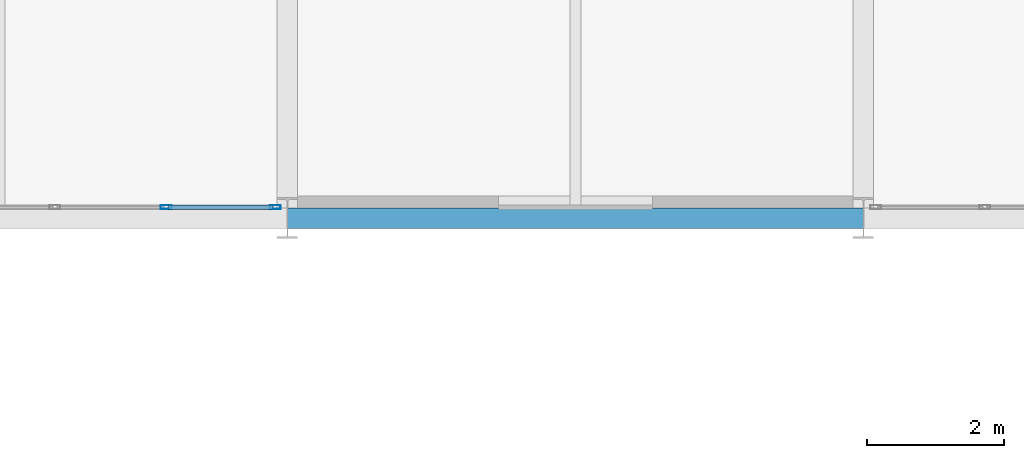
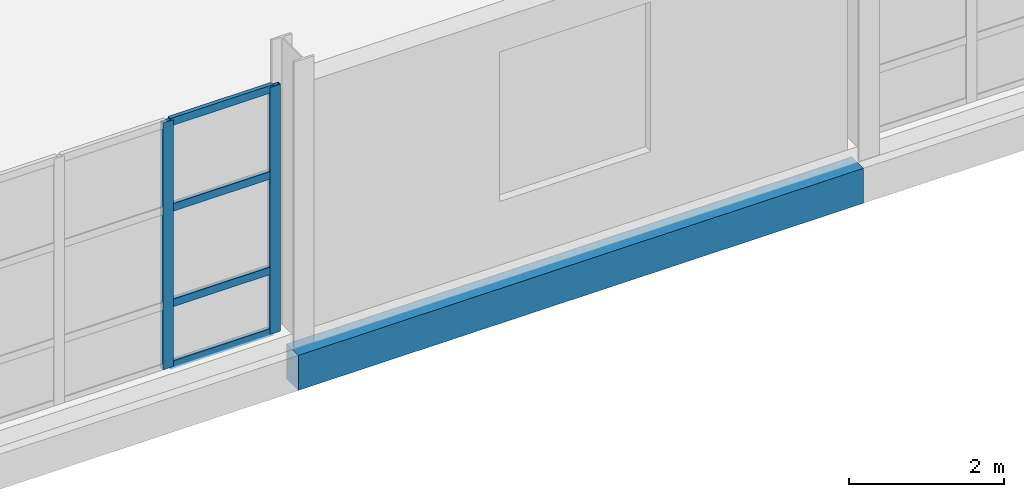
# One storey, part 63 of 109: 6 members, 1 beam, 1 element without a shape of its own.
"""IFC4 building model written with IfcOpenShell, lengths in metres."""

import ifcopenshell
import ifcopenshell.guid

model = None  # the IFC model being written
_history = None  # IfcOwnerHistory: only IFC2X3 demands one
_inside = {}  # id of a spatial element -> (the spatial element, [elements in it])
_under = {}  # id of a project, library or spatial element -> (it, [spatial elements below it])
_declared = {}  # id of a project -> (the project, [libraries it declares])
_typed = {}  # id of a type object -> (the type object, [elements of that type])
_made_of = {}  # id of a material, layer set ... -> (it, [elements and type objects made of it])


def new_model(schema):
    """Start an empty IFC model of exactly this schema.

    Asked for "IFC4X3", IfcOpenShell would pick the latest addendum, in which some entities
    have other attributes; the version numbers below select the first issue.
    IFC2X3 requires an IfcOwnerHistory on every rooted entity: one is made here for all.
    """
    global model, _history
    if schema == "IFC4X3":
        model = ifcopenshell.file(schema_version=(4, 3, 0, 0))
    else:
        model = ifcopenshell.file(schema=schema)
    _inside.clear()
    _under.clear()
    _declared.clear()
    _typed.clear()
    _made_of.clear()
    _history = None
    if model.schema == "IFC2X3":
        org = make("IfcOrganization", Name="unknown")
        user = make(
            "IfcPersonAndOrganization",
            ThePerson=make("IfcPerson", FamilyName="unknown"),
            TheOrganization=org,
        )
        app = make(
            "IfcApplication",
            ApplicationDeveloper=org,
            Version="unknown",
            ApplicationFullName="unknown",
            ApplicationIdentifier="unknown",
        )
        _history = make(
            "IfcOwnerHistory",
            OwningUser=user,
            OwningApplication=app,
            ChangeAction="ADDED",
            CreationDate=0,
        )
    return model


def make(cls, **values):
    """One entity of the class cls with the attributes given. An attribute that is None is left unset."""
    return model.create_entity(
        cls, **{name: value for name, value in values.items() if value is not None}
    )


def rooted(cls, **values):
    """An entity with a GlobalId (a new one), such as an element, a storey or a relation."""
    return make(cls, GlobalId=ifcopenshell.guid.new(), OwnerHistory=_history, **values)


def si_unit(unit_type, name, prefix=None):
    """IfcSIUnit, for example si_unit("LENGTHUNIT", "METRE", prefix="MILLI")."""
    return make("IfcSIUnit", UnitType=unit_type, Prefix=prefix, Name=name)


def assignment(units):
    """IfcUnitAssignment: the units of a project."""
    return None if units is None else make("IfcUnitAssignment", Units=units)


def point(xyz):
    """IfcCartesianPoint."""
    return None if xyz is None else make("IfcCartesianPoint", Coordinates=xyz)


def direction(xyz):
    """IfcDirection."""
    return None if xyz is None else make("IfcDirection", DirectionRatios=xyz)


def frame(location, z_axis=None, x_axis=None):
    """IfcAxis2Placement3D, a coordinate frame: its origin and axes. An axis left out is left unset."""
    return make(
        "IfcAxis2Placement3D",
        Location=point(location),
        Axis=direction(z_axis),
        RefDirection=direction(x_axis),
    )


def frame_2d(location, x_axis=None):
    """IfcAxis2Placement2D, a coordinate frame in the plane: its origin and x axis."""
    return make(
        "IfcAxis2Placement2D", Location=point(location), RefDirection=direction(x_axis)
    )


def origin():
    """The frame at (0, 0, 0) with its axes left unset."""
    return frame((0.0, 0.0, 0.0))


def origin_2d():
    """The frame at (0, 0) in the plane with its x axis left unset."""
    return frame_2d((0.0, 0.0))


def place(relative_to, where):
    """IfcLocalPlacement: puts the frame where relative to a parent placement (None: the world)."""
    return make(
        "IfcLocalPlacement", PlacementRelTo=relative_to, RelativePlacement=where
    )


def context(
    kind, dimensions, precision=None, world=None, true_north=None, identifier=None
):
    """IfcGeometricRepresentationContext, for example the 3D "Model" context."""
    return make(
        "IfcGeometricRepresentationContext",
        ContextIdentifier=identifier,
        ContextType=kind,
        CoordinateSpaceDimension=dimensions,
        Precision=precision,
        WorldCoordinateSystem=world,
        TrueNorth=true_north,
    )


def subcontext(parent, identifier, kind, view, scale=None):
    """IfcGeometricRepresentationSubContext, for example "Body" below "Model"."""
    return make(
        "IfcGeometricRepresentationSubContext",
        ContextIdentifier=identifier,
        ContextType=kind,
        ParentContext=parent,
        TargetScale=scale,
        TargetView=view,
    )


def project(units=None, contexts=None):
    """IfcProject with its units and contexts."""
    return rooted(
        "IfcProject",
        Name="project",
        RepresentationContexts=contexts,
        UnitsInContext=assignment(units),
    )


def spatial(cls, under=None, at=None, **own):
    """A site, building, storey or space (cls), placed at a placement, below another one or the project."""
    s = rooted(cls, ObjectPlacement=at, **own)
    if under is not None:
        _under.setdefault(under.id(), (under, []))[1].append(s)
    return s


def profile(cls, at=None, kind="AREA", **sizes):
    """A parametric profile (cls). Its sizes go by their IFC names, for example OverallWidth=200.0."""
    return make(cls, ProfileType=kind, Position=at, **sizes)


def rectangle(**sizes):
    """IfcRectangleProfileDef."""
    return profile("IfcRectangleProfileDef", **sizes)


def hollow_rectangle(**sizes):
    """IfcRectangleHollowProfileDef."""
    return profile("IfcRectangleHollowProfileDef", **sizes)


def extrude(swept, where, along, depth):
    """IfcExtrudedAreaSolid: the profile swept, set in the frame where, extruded along a direction by depth."""
    return make(
        "IfcExtrudedAreaSolid",
        SweptArea=swept,
        Position=where,
        ExtrudedDirection=direction(along),
        Depth=depth,
    )


def shape(context_of_items, identifier, shape_type, items):
    """IfcShapeRepresentation: the items that make up one representation, for example the "Body"."""
    return make(
        "IfcShapeRepresentation",
        ContextOfItems=context_of_items,
        RepresentationIdentifier=identifier,
        RepresentationType=shape_type,
        Items=items,
    )


def material(Name=None, Category=None):
    """IfcMaterial."""
    return make("IfcMaterial", Name=Name, Category=Category)


def material_profile(
    of_material, cross_section, Name=None, Category=None, Priority=None
):
    """IfcMaterialProfile: a cross section and its material."""
    return make(
        "IfcMaterialProfile",
        Name=Name,
        Material=of_material,
        Profile=cross_section,
        Priority=Priority,
        Category=Category,
    )


def profile_set(profiles, Name=None, composite=None):
    """IfcMaterialProfileSet."""
    return make(
        "IfcMaterialProfileSet",
        Name=Name,
        MaterialProfiles=profiles,
        CompositeProfile=composite,
    )


def made_of(thing, what):
    """Note that an element or type object is made of a material, layer set ...; save() writes the relation."""
    if what is not None:
        _made_of.setdefault(what.id(), (what, []))[1].append(thing)
    return thing


def type_object(cls, material=None, **own):
    """A type object (cls), such as IfcWallType, which elements share."""
    return made_of(rooted(cls, **own), material)


def element(
    cls,
    number,
    at=None,
    inside=None,
    cuts=None,
    type_object=None,
    material=None,
    context=None,
    identifier="Body",
    shape_type=None,
    held_by="IfcProductDefinitionShape",
    body=None,
    shapes=None,
    **own,
):
    """One element of the class cls, such as IfcWall. Its Tag is "e" and its number.

    at: its placement. inside: the storey or other place that contains it. cuts: it is an
    opening in that element (IfcRelVoidsElement). A single representation is given by context,
    identifier, shape_type and body (its items); several are given by shapes. held_by: the class
    of the entity that holds the representations. save() writes the other relations.
    """
    e = rooted(cls, Tag="e%d" % number, ObjectPlacement=at, **own)
    if body is not None:
        shapes = [shape(context, identifier, shape_type, body)]
    if shapes is not None:
        e.Representation = make(held_by, Representations=shapes)
    if inside is not None:
        _inside.setdefault(inside.id(), (inside, []))[1].append(e)
    if cuts is not None:
        rooted(
            "IfcRelVoidsElement", RelatingBuildingElement=cuts, RelatedOpeningElement=e
        )
    if type_object is not None:
        _typed.setdefault(type_object.id(), (type_object, []))[1].append(e)
    return made_of(e, material)


def aggregate(whole, parts):
    """IfcRelAggregates: a whole, such as a stair, and the parts it consists of."""
    return rooted("IfcRelAggregates", RelatingObject=whole, RelatedObjects=parts)


def save(model, path):
    """Write the relations noted so far, then the file.

    IfcRelAggregates (storeys below a building ...), IfcRelContainedInSpatialStructure (elements
    in a storey), IfcRelDefinesByType, IfcRelAssociatesMaterial and IfcRelDeclares: one each for
    every whole, place, type object, material and project.
    """
    for whole, parts in _under.values():
        aggregate(whole, parts)
    for where, things in _inside.values():
        rooted(
            "IfcRelContainedInSpatialStructure",
            RelatedElements=things,
            RelatingStructure=where,
        )
    for kind, things in _typed.values():
        rooted("IfcRelDefinesByType", RelatedObjects=things, RelatingType=kind)
    for what, things in _made_of.values():
        rooted("IfcRelAssociatesMaterial", RelatedObjects=things, RelatingMaterial=what)
    for by, libraries in _declared.values():
        rooted("IfcRelDeclares", RelatingContext=by, RelatedDefinitions=libraries)
    model.write(path)


model = new_model("IFC4")

# Units and contexts
model_context = context("Model", 3, precision=1e-05, world=origin(), true_north=direction((0.0, 1.0)))
body_context = subcontext(model_context, "Body", "Model", "MODEL_VIEW")
ifc_project = project(units=[si_unit("LENGTHUNIT", "METRE"), si_unit("AREAUNIT", "SQUARE_METRE"), si_unit("VOLUMEUNIT", "CUBIC_METRE"), si_unit("PLANEANGLEUNIT", "RADIAN"), si_unit("MASSUNIT", "GRAM", prefix="KILO")], contexts=[model_context])

# Site, building, storey
site_placement = place(None, origin())
site = spatial("IfcSite", under=ifc_project, at=site_placement, CompositionType="ELEMENT")
building_placement = place(site_placement, origin())
building = spatial("IfcBuilding", under=site, at=building_placement, Name="Veltarok Museum of Natural Sciences", CompositionType="ELEMENT")
storey_placement = place(building_placement, frame((0.0, 0.0, 17.39990234375)))
storey = spatial("IfcBuildingStorey", under=building, at=storey_placement, Name="L03", CompositionType="ELEMENT", Elevation=17.39990234375)

# Curtain wall, members
ifc_material_1 = material(Name="Low-iron triple insulated glass", Category="glass")
curtain_wall_type = type_object("IfcCurtainWallType", Name="Curtain Wall System CW-V5S-L03-16-810x388 (V5 South Lab Curtain Wall L03 16-17 810x388cm)", PredefinedType="NOTDEFINED", material=ifc_material_1)
curtain_wall_placement = place(storey_placement, origin())
curtain_wall = element("IfcCurtainWall", 1, at=curtain_wall_placement, inside=storey, type_object=curtain_wall_type, Name="Curtain Wall CW-V5S-L03-16-810x388 CW-0094", PredefinedType="NOTDEFINED")
ifc_material_2 = material(Name="Thermally broken anodised aluminium", Category="aluminium")
ifc_material_profile_1 = material_profile(ifc_material_2, hollow_rectangle(XDim=0.06005859375, YDim=0.1201171875, WallThickness=0.0048828125, at=origin_2d()), Name="CW TRANSOM 60x120x5")
ifc_profile_set_1 = profile_set([ifc_material_profile_1], Name="Thermally broken anodised aluminium")
member_type_1 = type_object("IfcMemberType", Name="Curtain Wall Horizontal Transom 60x120x5", PredefinedType="USERDEFINED", material=ifc_profile_set_1)
member_1_placement = place(storey_placement, frame((139.06005859375, 0.159912109375, 0.030029296875), z_axis=(1.0, 0.0, 0.0), x_axis=(0.0, 1.0, 0.0)))
member_1 = element("IfcMember", 2, at=member_1_placement, type_object=member_type_1, Name="CW-V5S-L03-16-810x388 transom 5.1", ObjectType="TRANSOM", PredefinedType="USERDEFINED", context=body_context, shape_type="SweptSolid", body=[
    extrude(hollow_rectangle(XDim=0.06005859375, YDim=0.1201171875, WallThickness=0.0048828125, at=origin_2d()), origin(), (0.0, 0.0, 1.0), 1.530029296875),
])
member_2_placement = place(storey_placement, frame((139.06005859375, 0.159912109375, 1.0), z_axis=(1.0, 0.0, 0.0), x_axis=(0.0, 1.0, 0.0)))
member_2 = element("IfcMember", 3, at=member_2_placement, type_object=member_type_1, Name="CW-V5S-L03-16-810x388 transom 5.2", ObjectType="TRANSOM", PredefinedType="USERDEFINED", context=body_context, shape_type="SweptSolid", body=[
    extrude(hollow_rectangle(XDim=0.06005859375, YDim=0.1201171875, WallThickness=0.0048828125, at=origin_2d()), origin(), (0.0, 0.0, 1.0), 1.530029296875),
])
member_3_placement = place(storey_placement, frame((139.06005859375, 0.159912109375, 2.5), z_axis=(1.0, 0.0, 0.0), x_axis=(0.0, 1.0, 0.0)))
member_3 = element("IfcMember", 4, at=member_3_placement, type_object=member_type_1, Name="CW-V5S-L03-16-810x388 transom 5.3", ObjectType="TRANSOM", PredefinedType="USERDEFINED", context=body_context, shape_type="SweptSolid", body=[
    extrude(hollow_rectangle(XDim=0.06005859375, YDim=0.1201171875, WallThickness=0.0048828125, at=origin_2d()), origin(), (0.0, 0.0, 1.0), 1.530029296875),
])
member_4_placement = place(storey_placement, frame((139.06005859375, 0.159912109375, 3.85009765625), z_axis=(1.0, 0.0, 0.0), x_axis=(0.0, 1.0, 0.0)))
member_4 = element("IfcMember", 5, at=member_4_placement, type_object=member_type_1, Name="CW-V5S-L03-16-810x388 transom 5.4", ObjectType="TRANSOM", PredefinedType="USERDEFINED", context=body_context, shape_type="SweptSolid", body=[
    extrude(hollow_rectangle(XDim=0.06005859375, YDim=0.1201171875, WallThickness=0.0048828125, at=origin_2d()), origin(), (0.0, 0.0, 1.0), 1.530029296875),
])
ifc_material_profile_2 = material_profile(ifc_material_2, hollow_rectangle(XDim=0.06005859375, YDim=0.159912109375, WallThickness=0.0048828125, at=origin_2d()), Name="CW MULLION 60x160x5")
ifc_profile_set_2 = profile_set([ifc_material_profile_2], Name="Thermally broken anodised aluminium")
member_type_2 = type_object("IfcMemberType", Name="Curtain Wall Vertical Mullion 60x160x5", PredefinedType="MULLION", material=ifc_profile_set_2)
member_5_placement = place(storey_placement, frame((139.030029296875, 0.159912109375, 0.0), z_axis=(0.0, 0.0, 1.0), x_axis=(0.0, 1.0, 0.0)))
member_5 = element("IfcMember", 6, at=member_5_placement, type_object=member_type_2, Name="CW-V5S-L03-16-810x388 mullion 5", PredefinedType="MULLION", context=body_context, shape_type="SweptSolid", body=[
    extrude(hollow_rectangle(XDim=0.06005859375, YDim=0.159912109375, WallThickness=0.0048828125, at=origin_2d()), origin(), (0.0, 0.0, 1.0), 3.880126953125),
])
member_6_placement = place(storey_placement, frame((140.6201171875, 0.159912109375, 0.0), z_axis=(0.0, 0.0, 1.0), x_axis=(0.0, 1.0, 0.0)))
member_6 = element("IfcMember", 7, at=member_6_placement, type_object=member_type_2, Name="CW-V5S-L03-16-810x388 mullion 6", PredefinedType="MULLION", context=body_context, shape_type="SweptSolid", body=[
    extrude(hollow_rectangle(XDim=0.06005859375, YDim=0.159912109375, WallThickness=0.0048828125, at=origin_2d()), origin(), (0.0, 0.0, 1.0), 3.880126953125),
])
aggregate(curtain_wall, [member_5, member_6, member_1, member_2, member_3, member_4])

# Beam
ifc_material_3 = material(Name="Precast concrete C40/50", Category="concrete")
ifc_material_profile_3 = material_profile(ifc_material_3, rectangle(XDim=0.300048828125, YDim=0.550048828125, at=origin_2d()), Name="RC 300x550")
ifc_profile_set_3 = profile_set([ifc_material_profile_3], Name="Precast concrete C40/50")
beam_type = type_object("IfcBeamType", Name="East Wing Precast Spandrel RC 300x550", PredefinedType="SPANDREL", material=ifc_profile_set_3)
beam_placement = place(storey_placement, frame((140.800048828125, 0.0, -0.52490234375), z_axis=(1.0, 0.0, 0.0), x_axis=(0.0, 1.0, 0.0)))
element("IfcBeam", 8, at=beam_placement, inside=storey, type_object=beam_type, Name="Beam BM-SP02 L03 17-18/A", PredefinedType="SPANDREL", context=body_context, shape_type="SweptSolid", body=[
    extrude(rectangle(XDim=0.300048828125, YDim=0.550048828125, at=origin_2d()), origin(), (0.0, 0.0, 1.0), 8.39990234375),
])

save(model, "model.ifc")
